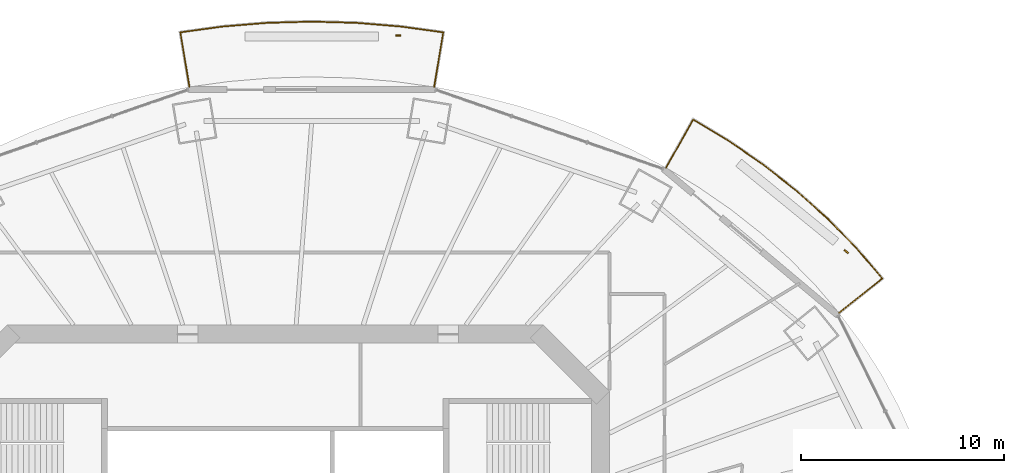
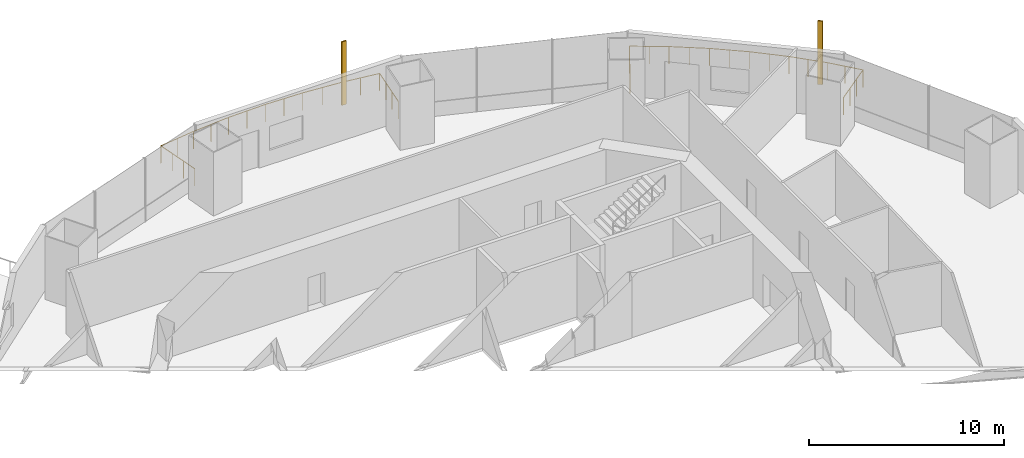
# One storey, part 18 of 20: 2 railings, 2 shading devices.
"""IFC4 building model written with IfcOpenShell, lengths in metres."""

from ifc_helpers import new_model, si_unit, direction, frame, origin, origin_2d, place, context, subcontext, project, spatial, rectangle, circle, extrude, material, material_profile, profile_set, type_object, element, save


model = new_model("IFC4")

# Units and contexts
model_context = context("Model", 3, precision=1e-05, world=origin(), true_north=direction((0.0, 1.0)))
body_context = subcontext(model_context, "Body", "Model", "MODEL_VIEW")
ifc_project = project(units=[si_unit("LENGTHUNIT", "METRE"), si_unit("AREAUNIT", "SQUARE_METRE"), si_unit("VOLUMEUNIT", "CUBIC_METRE"), si_unit("PLANEANGLEUNIT", "RADIAN"), si_unit("MASSUNIT", "GRAM", prefix="KILO")], contexts=[model_context])

# Site, building, storey
site_placement = place(None, origin())
site = spatial("IfcSite", under=ifc_project, at=site_placement, CompositionType="ELEMENT")
building_placement = place(site_placement, origin())
building = spatial("IfcBuilding", under=site, at=building_placement, Name="Marenthal Gate Tower", CompositionType="ELEMENT")
storey_placement = place(building_placement, frame((0.0, 0.0, 215.0)))
storey = spatial("IfcBuildingStorey", under=building, at=storey_placement, Name="L47", CompositionType="ELEMENT", Elevation=215.0)

# Railings
ifc_material_1 = material(Name="Stainless steel", Category="steel")
railing_type = type_object("IfcRailingType", Name="Balcony guard 1100", PredefinedType="GUARDRAIL", material=ifc_material_1)
railing_1_placement = place(storey_placement, frame((19.2314453125, 21.18701171875, 0.0)))
element("IfcRailing", 1, at=railing_1_placement, inside=storey, type_object=railing_type, Name="Balcony guard L47 bay 2", PredefinedType="GUARDRAIL", context=body_context, shape_type="SweptSolid", body=[
    extrude(circle(Radius=0.02392578125, at=origin_2d()), frame((0.0, 0.0, 1.076171875), z_axis=(0.489692426364, 0.871770992902, -0.014719493754), x_axis=(-0.871865448727, 0.489745484223, 0.0)), (0.0, 0.0, 1.0), 2.72021484375),
    extrude(circle(Radius=0.02392578125, at=origin_2d()), frame((1.33203125, 2.371337890625, 1.0361328125), z_axis=(0.856139874466, -0.51674414883, 0.0), x_axis=(0.51674414883, 0.856139874466, 0.0)), (0.0, 0.0, 1.0), 2.0263671875),
    extrude(circle(Radius=0.02392578125, at=origin_2d()), frame((3.06689453125, 1.32421875, 1.0361328125), z_axis=(0.823267382134, -0.56765378314, 0.0), x_axis=(0.56765378314, 0.823267382134, 0.0)), (0.0, 0.0, 1.0), 2.08984375),
    extrude(circle(Radius=0.02392578125, at=origin_2d()), frame((4.787353515625, 0.137939453125, 1.0361328125), z_axis=(0.785888916209, -0.618367699173, 0.0), x_axis=(0.618367699173, 0.785888916209, 0.0)), (0.0, 0.0, 1.0), 2.072265625),
    extrude(circle(Radius=0.02392578125, at=origin_2d()), frame((6.416015625, -1.1435546875, 1.0361328125), z_axis=(0.744433020663, -0.667697145229, 0.0), x_axis=(0.667697145229, 0.744433020663, 0.0)), (0.0, 0.0, 1.0), 2.05517578125),
    extrude(circle(Radius=0.02392578125, at=origin_2d()), frame((7.946044921875, -2.515869140625, 1.0361328125), z_axis=(0.698790859337, -0.715326033992, 0.0), x_axis=(0.715326033992, 0.698790859337, 0.0)), (0.0, 0.0, 1.0), 2.03759765625),
    extrude(circle(Radius=0.02392578125, at=origin_2d()), frame((9.369873046875, -3.973388671875, 1.0361328125), z_axis=(0.650003821806, -0.759930938729, 0.0), x_axis=(0.759930938729, 0.650003821806, 0.0)), (0.0, 0.0, 1.0), 1.941162109375),
    extrude(circle(Radius=0.02392578125, at=origin_2d()), frame((10.631591796875, -5.448486328125, 1.0361328125), z_axis=(-0.782820273023, -0.622073757432, 0.014719390596), x_axis=(0.622141157777, -0.782905089905, 0.0)), (0.0, 0.0, 1.0), 2.72021484375),
    extrude(circle(Radius=0.02099609375, at=origin_2d()), origin(), (0.0, 0.0, 1.0), 1.052001953125),
    extrude(circle(Radius=0.02099609375, at=origin_2d()), frame((0.444091796875, 0.79052734375, -0.013427734375)), (0.0, 0.0, 1.0), 1.052001953125),
    extrude(circle(Radius=0.02099609375, at=origin_2d()), frame((0.887939453125, 1.580810546875, -0.026611328125)), (0.0, 0.0, 1.0), 1.052001953125),
    extrude(circle(Radius=0.02099609375, at=origin_2d()), frame((1.33203125, 2.371337890625, -0.0400390625)), (0.0, 0.0, 1.0), 1.052001953125),
    extrude(circle(Radius=0.02099609375, at=origin_2d()), frame((2.199462890625, 1.84765625, -0.0400390625)), (0.0, 0.0, 1.0), 1.052001953125),
    extrude(circle(Radius=0.02099609375, at=origin_2d()), frame((3.06689453125, 1.32421875, -0.0400390625)), (0.0, 0.0, 1.0), 1.052001953125),
    extrude(circle(Radius=0.02099609375, at=origin_2d()), frame((3.92724609375, 0.73095703125, -0.0400390625)), (0.0, 0.0, 1.0), 1.052001953125),
    extrude(circle(Radius=0.02099609375, at=origin_2d()), frame((4.787353515625, 0.137939453125, -0.0400390625)), (0.0, 0.0, 1.0), 1.052001953125),
    extrude(circle(Radius=0.02099609375, at=origin_2d()), frame((5.6015625, -0.5029296875, -0.0400390625)), (0.0, 0.0, 1.0), 1.052001953125),
    extrude(circle(Radius=0.02099609375, at=origin_2d()), frame((6.416015625, -1.1435546875, -0.0400390625)), (0.0, 0.0, 1.0), 1.052001953125),
    extrude(circle(Radius=0.02099609375, at=origin_2d()), frame((7.18115234375, -1.82958984375, -0.0400390625)), (0.0, 0.0, 1.0), 1.052001953125),
    extrude(circle(Radius=0.02099609375, at=origin_2d()), frame((7.946044921875, -2.515869140625, -0.0400390625)), (0.0, 0.0, 1.0), 1.052001953125),
    extrude(circle(Radius=0.02099609375, at=origin_2d()), frame((8.657958984375, -3.24462890625, -0.0400390625)), (0.0, 0.0, 1.0), 1.052001953125),
    extrude(circle(Radius=0.02099609375, at=origin_2d()), frame((9.369873046875, -3.973388671875, -0.0400390625)), (0.0, 0.0, 1.0), 1.052001953125),
    extrude(circle(Radius=0.02099609375, at=origin_2d()), frame((10.000732421875, -4.7109375, -0.0400390625)), (0.0, 0.0, 1.0), 1.052001953125),
    extrude(circle(Radius=0.02099609375, at=origin_2d()), frame((10.631591796875, -5.448486328125, -0.0400390625)), (0.0, 0.0, 1.0), 1.052001953125),
    extrude(circle(Radius=0.02099609375, at=origin_2d()), frame((9.921875, -6.012451171875, -0.026611328125)), (0.0, 0.0, 1.0), 1.052001953125),
    extrude(circle(Radius=0.02099609375, at=origin_2d()), frame((9.2119140625, -6.57666015625, -0.013427734375)), (0.0, 0.0, 1.0), 1.052001953125),
    extrude(circle(Radius=0.02099609375, at=origin_2d()), frame((8.502197265625, -7.140625, 0.0)), (0.0, 0.0, 1.0), 1.052001953125),
])
railing_2_placement = place(storey_placement, frame((-4.2177734375, 25.15869140625, 0.0)))
element("IfcRailing", 2, at=railing_2_placement, inside=storey, type_object=railing_type, Name="Balcony guard L47 bay 4", PredefinedType="GUARDRAIL", context=body_context, shape_type="SweptSolid", body=[
    extrude(circle(Radius=0.02392578125, at=origin_2d()), frame((0.0, 0.0, 1.076171875), z_axis=(-0.16486141703, 0.98620691984, -0.01471816679), x_axis=(-0.986313755456, -0.164879276438, 0.0)), (0.0, 0.0, 1.0), 2.720458984375),
    extrude(circle(Radius=0.02392578125, at=origin_2d()), frame((-0.448486328125, 2.682861328125, 1.0361328125), z_axis=(0.990663789329, 0.136327754009, 0.0), x_axis=(-0.136327754009, 0.990663789329, 0.0)), (0.0, 0.0, 1.0), 2.10791015625),
    extrude(circle(Radius=0.02392578125, at=origin_2d()), frame((1.6396484375, 2.97021484375, 1.0361328125), z_axis=(0.99659779292, 0.082418682025, 0.0), x_axis=(-0.082418682025, 0.99659779292, 0.0)), (0.0, 0.0, 1.0), 2.192138671875),
    extrude(circle(Radius=0.02392578125, at=origin_2d()), frame((3.82421875, 3.15087890625, 1.0361328125), z_axis=(0.999619294509, 0.027591050088, 0.0), x_axis=(-0.027591050088, 0.999619294509, 0.0)), (0.0, 0.0, 1.0), 2.1943359375),
    extrude(circle(Radius=0.02392578125, at=origin_2d()), frame((6.017822265625, 3.21142578125, 1.0361328125), z_axis=(0.999619209801, -0.027594118881, 0.0), x_axis=(0.027594118881, 0.999619209801, 0.0)), (0.0, 0.0, 1.0), 2.194091796875),
    extrude(circle(Radius=0.02392578125, at=origin_2d()), frame((8.211181640625, 3.15087890625, 1.0361328125), z_axis=(0.996598549357, -0.082409534755, 0.0), x_axis=(0.082409534755, 0.996598549357, 0.0)), (0.0, 0.0, 1.0), 2.1923828125),
    extrude(circle(Radius=0.02392578125, at=origin_2d()), frame((10.39599609375, 2.97021484375, 1.0361328125), z_axis=(0.990663789329, -0.136327754009, 0.0), x_axis=(0.136327754009, 0.990663789329, 0.0)), (0.0, 0.0, 1.0), 2.10791015625),
    extrude(circle(Radius=0.02392578125, at=origin_2d()), frame((12.484130859375, 2.682861328125, 1.0361328125), z_axis=(-0.164948720809, -0.986192324793, 0.014717948973), x_axis=(0.986299155665, -0.164966589145, 0.0)), (0.0, 0.0, 1.0), 2.720458984375),
    extrude(circle(Radius=0.02099609375, at=origin_2d()), origin(), (0.0, 0.0, 1.0), 1.052001953125),
    extrude(circle(Radius=0.02099609375, at=origin_2d()), frame((-0.1494140625, 0.894287109375, -0.013427734375)), (0.0, 0.0, 1.0), 1.052001953125),
    extrude(circle(Radius=0.02099609375, at=origin_2d()), frame((-0.299072265625, 1.78857421875, -0.026611328125)), (0.0, 0.0, 1.0), 1.052001953125),
    extrude(circle(Radius=0.02099609375, at=origin_2d()), frame((-0.448486328125, 2.682861328125, -0.0400390625)), (0.0, 0.0, 1.0), 1.052001953125),
    extrude(circle(Radius=0.02099609375, at=origin_2d()), frame((0.595703125, 2.82666015625, -0.0400390625)), (0.0, 0.0, 1.0), 1.052001953125),
    extrude(circle(Radius=0.02099609375, at=origin_2d()), frame((1.6396484375, 2.97021484375, -0.0400390625)), (0.0, 0.0, 1.0), 1.052001953125),
    extrude(circle(Radius=0.02099609375, at=origin_2d()), frame((2.73193359375, 3.060546875, -0.0400390625)), (0.0, 0.0, 1.0), 1.052001953125),
    extrude(circle(Radius=0.02099609375, at=origin_2d()), frame((3.82421875, 3.15087890625, -0.0400390625)), (0.0, 0.0, 1.0), 1.052001953125),
    extrude(circle(Radius=0.02099609375, at=origin_2d()), frame((4.9208984375, 3.18115234375, -0.0400390625)), (0.0, 0.0, 1.0), 1.052001953125),
    extrude(circle(Radius=0.02099609375, at=origin_2d()), frame((6.017822265625, 3.21142578125, -0.0400390625)), (0.0, 0.0, 1.0), 1.052001953125),
    extrude(circle(Radius=0.02099609375, at=origin_2d()), frame((7.114501953125, 3.18115234375, -0.0400390625)), (0.0, 0.0, 1.0), 1.052001953125),
    extrude(circle(Radius=0.02099609375, at=origin_2d()), frame((8.211181640625, 3.15087890625, -0.0400390625)), (0.0, 0.0, 1.0), 1.052001953125),
    extrude(circle(Radius=0.02099609375, at=origin_2d()), frame((9.3037109375, 3.060546875, -0.0400390625)), (0.0, 0.0, 1.0), 1.052001953125),
    extrude(circle(Radius=0.02099609375, at=origin_2d()), frame((10.39599609375, 2.97021484375, -0.0400390625)), (0.0, 0.0, 1.0), 1.052001953125),
    extrude(circle(Radius=0.02099609375, at=origin_2d()), frame((11.43994140625, 2.82666015625, -0.0400390625)), (0.0, 0.0, 1.0), 1.052001953125),
    extrude(circle(Radius=0.02099609375, at=origin_2d()), frame((12.484130859375, 2.682861328125, -0.0400390625)), (0.0, 0.0, 1.0), 1.052001953125),
    extrude(circle(Radius=0.02099609375, at=origin_2d()), frame((12.33447265625, 1.78857421875, -0.026611328125)), (0.0, 0.0, 1.0), 1.052001953125),
    extrude(circle(Radius=0.02099609375, at=origin_2d()), frame((12.18505859375, 0.894287109375, -0.013427734375)), (0.0, 0.0, 1.0), 1.052001953125),
    extrude(circle(Radius=0.02099609375, at=origin_2d()), frame((12.035400390625, 0.0, 0.0)), (0.0, 0.0, 1.0), 1.052001953125),
])

# Shading devices
ifc_material_2 = material(Name="Terracotta", Category="masonry")
ifc_material_profile = material_profile(ifc_material_2, rectangle(XDim=0.25, YDim=0.080078125, at=origin_2d()), Name="Terracotta baguette 250x80")
ifc_profile_set = profile_set([ifc_material_profile], Name="Terracotta")
shading_device_type = type_object("IfcShadingDeviceType", Name="Terracotta BAGUETTE SCREEN 250x80", PredefinedType="USERDEFINED", material=ifc_profile_set)
for number, where, z_axis, x_axis, name in (
    (3, (28.096923828125, 17.059814453125, -0.0400390625), (0.0, 0.0, 1.0), (-0.765627996549, 0.643283585131, 0.0), "Terracotta BAGUETTE L47 bay 2L"),
    (4, (6.05810546875, 27.695068359375, -0.0400390625), (0.0, 0.0, 1.0), (-1.0, 0.0, 0.0), "Terracotta BAGUETTE L47 bay 4L"),
):
    element("IfcShadingDevice", number, at=place(storey_placement, frame(where, z_axis=z_axis, x_axis=x_axis)), inside=storey, type_object=shading_device_type, Name=name, ObjectType="BAGUETTE SCREEN", PredefinedType="USERDEFINED", context=body_context, shape_type="SweptSolid", body=[
        extrude(rectangle(XDim=0.25, YDim=0.080078125, at=origin_2d()), origin(), (0.0, 0.0, 1.0), 3.969970703125),
    ])

save(model, "model.ifc")
